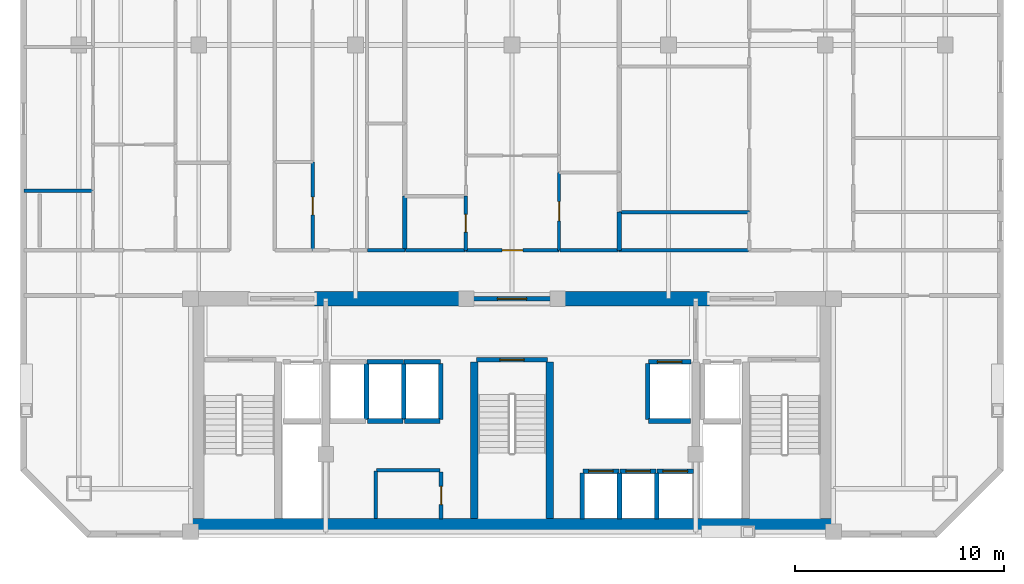
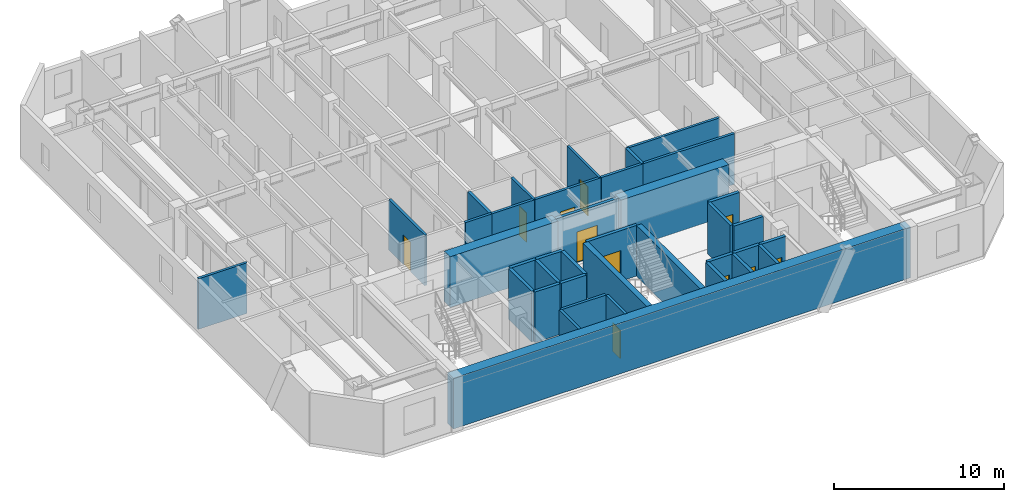
# One storey, part 3 of 8: 38 walls, 11 doors, 11 openings.
"""IFC4 building model written with IfcOpenShell, lengths in metres."""

from ifc_helpers import new_model, si_unit, direction, frame, frame_2d, origin, place, context, subcontext, project, spatial, rectangle, extrude, material, layer, layer_set, type_object, element, fill, save


model = new_model("IFC4")

# Units and contexts
model_context = context("Model", 3, precision=1e-05, world=origin(), true_north=direction((0.0, 1.0)))
body_context = subcontext(model_context, "Body", "Model", "MODEL_VIEW")
ifc_project = project(units=[si_unit("LENGTHUNIT", "METRE"), si_unit("AREAUNIT", "SQUARE_METRE"), si_unit("VOLUMEUNIT", "CUBIC_METRE"), si_unit("PLANEANGLEUNIT", "RADIAN"), si_unit("MASSUNIT", "GRAM", prefix="KILO")], contexts=[model_context])

# Site, building, storey
site_placement = place(None, origin())
site = spatial("IfcSite", under=ifc_project, at=site_placement, CompositionType="ELEMENT")
building_placement = place(site_placement, origin())
building = spatial("IfcBuilding", under=site, at=building_placement, Name="Ventersveld Concourse Tower", CompositionType="ELEMENT")
storey_placement = place(building_placement, frame((0.0, 0.0, 176.0)))
storey = spatial("IfcBuildingStorey", under=building, at=storey_placement, Name="L43", CompositionType="ELEMENT", Elevation=176.0)

# Walls
ifc_material_1 = material(Name="Concrete C60/75", Category="concrete")
ifc_layer_1 = layer(ifc_material_1, 0.35009765625)
ifc_layer_set_1 = layer_set([ifc_layer_1], Name="Concrete C60/75")
wall_type_1 = type_object("IfcWallType", Name="WL-CORE-350L", PredefinedType="SHEAR", material=ifc_layer_set_1)
for number, where, z_axis, x_axis, name in (
    (1, (26.93994140625, 0.919921875, 0.0), (0.0, 0.0, 1.0), (0.0, 1.0, 0.0), "L43 Core Internal Shear Web W-ST3-W"),
    (2, (30.56005859375, 0.919921875, 0.0), (0.0, 0.0, 1.0), (0.0, 1.0, 0.0), "L43 Core Internal Shear Web W-ST3-E"),
):
    element("IfcWall", number, at=place(storey_placement, frame(where, z_axis=z_axis, x_axis=x_axis)), inside=storey, type_object=wall_type_1, Name=name, PredefinedType="SHEAR", context=body_context, shape_type="SweptSolid", body=[
        extrude(rectangle(XDim=7.5, YDim=0.35009765625, at=frame_2d((3.75, 0.0))), origin(), (0.0, 0.0, 1.0), 3.6298828125),
    ])
ifc_layer_2 = layer(ifc_material_1, 0.699951171875)
ifc_layer_set_2 = layer_set([ifc_layer_2], Name="Concrete C60/75")
wall_type_2 = type_object("IfcWallType", Name="WL-CORE-700", PredefinedType="SHEAR", material=ifc_layer_set_2)
wall_1_placement = place(storey_placement, frame((13.25, 0.570068359375, 0.0), z_axis=(0.0, 0.0, 1.0), x_axis=(1.0, 0.0, 0.0)))
element("IfcWall", 3, at=wall_1_placement, inside=storey, type_object=wall_type_2, Name="L43 Rear Core South Shear Wall", PredefinedType="SHEAR", context=body_context, shape_type="SweptSolid", body=[
    extrude(rectangle(XDim=31.0, YDim=0.699951171875, at=frame_2d((15.5, 0.0))), origin(), (0.0, 0.0, 1.0), 3.6298828125),
])
for number, where, z_axis, x_axis, name in (
    (4, (19.300048828125, 11.449951171875, 0.0), (0.0, 0.0, 1.0), (1.0, 0.0, 0.0), "L43 Rear Core North Shear Wall NML"),
    (5, (30.89990234375, 11.449951171875, 0.0), (0.0, 0.0, 1.0), (1.0, 0.0, 0.0), "L43 Rear Core North Shear Wall NMR"),
):
    element("IfcWall", number, at=place(storey_placement, frame(where, z_axis=z_axis, x_axis=x_axis)), inside=storey, type_object=wall_type_2, Name=name, PredefinedType="SHEAR", context=body_context, shape_type="SweptSolid", body=[
        extrude(rectangle(XDim=7.300048828125, YDim=0.699951171875, at=frame_2d((3.64990234375, 0.0))), origin(), (0.0, 0.0, 1.0), 3.6298828125),
    ])

# Wall, opening, door
ifc_material_2 = material(Name="Fire-rated autoclaved aerated masonry blockwork", Category="masonry")
ifc_layer_3 = layer(ifc_material_2, 0.179931640625)
ifc_layer_set_3 = layer_set([ifc_layer_3], Name="Fire-rated autoclaved aerated masonry blockwork")
wall_type_3 = type_object("IfcWallType", Name="WL-CORR-180", PredefinedType="PARTITIONING", material=ifc_layer_set_3)
wall_2_placement = place(storey_placement, frame((25.35009765625, 0.89990234375, 0.0), z_axis=(0.0, 0.0, 1.0), x_axis=(0.0, 1.0, 0.0)))
wall_2 = element("IfcWall", 6, at=wall_2_placement, inside=storey, type_object=wall_type_3, Name="L43 Core Passage Wall SP-L43-RECB1", PredefinedType="PARTITIONING", context=body_context, shape_type="SweptSolid", body=[
    extrude(rectangle(XDim=2.239990234375, YDim=0.179931640625, at=frame_2d((1.1201171875, 0.0))), origin(), (0.0, 0.0, 1.0), 3.6298828125),
])
opening_1_placement = place(wall_2_placement, frame((0.679931640625, 0.0, 0.0)))
opening_1 = element("IfcOpeningElement", 7, at=opening_1_placement, cuts=wall_2, Name="Opening FD5", PredefinedType="OPENING", context=body_context, shape_type="SweptSolid", body=[
    extrude(rectangle(XDim=0.8798828125, YDim=2.050048828125, at=frame_2d((0.43994140625, 1.02490234375))), frame((0.0, 0.10009765625, 0.0), z_axis=(0.0, -1.0, 0.0), x_axis=(1.0, 0.0, 0.0)), (0.0, 0.0, 1.0), 0.199951171875),
])
ifc_material_3 = material(Name="Galvanised painted steel", Category="steel")
door_type_1 = type_object("IfcDoorType", Name="DR-RISER-088", OperationType="NOTDEFINED", PredefinedType="DOOR", material=ifc_material_3)
door_1_placement = place(opening_1_placement, origin())
door_1 = element("IfcDoor", 8, at=door_1_placement, inside=storey, type_object=door_type_1, Name="L43 Core Room Door L43 Reclaimed Core Residents Reading Room (CD-L43-2100)", OperationType="SINGLE_SWING_LEFT", OverallHeight=2.050048828125, OverallWidth=0.8798828125, PredefinedType="DOOR", context=body_context, shape_type="SweptSolid", body=[
    extrude(rectangle(XDim=0.8798828125, YDim=2.050048828125, at=frame_2d((0.43994140625, 1.02490234375))), frame((0.0, 0.02490234375, 0.0), z_axis=(0.0, -1.0, 0.0), x_axis=(1.0, 0.0, 0.0)), (0.0, 0.0, 1.0), 0.050048828125),
])
fill(opening_1, door_1)

# Walls
wall_3_placement = place(storey_placement, frame((22.260009765625, 3.22998046875, 0.0), z_axis=(0.0, 0.0, 1.0), x_axis=(1.0, 0.0, 0.0)))
element("IfcWall", 9, at=wall_3_placement, inside=storey, type_object=wall_type_3, Name="L43 Core Top Wall SP-L43-RECB1", PredefinedType="PARTITIONING", context=body_context, shape_type="SweptSolid", body=[
    extrude(rectangle(XDim=3.0400390625, YDim=0.179931640625, at=frame_2d((1.52001953125, 0.0))), origin(), (0.0, 0.0, 1.0), 3.6298828125),
])
wall_4_placement = place(storey_placement, frame((22.219970703125, 0.909912109375, 0.0), z_axis=(0.0, 0.0, 1.0), x_axis=(0.0, 1.0, 0.0)))
element("IfcWall", 10, at=wall_4_placement, inside=storey, type_object=wall_type_3, Name="L43 Core West Wall SP-L43-RECB1", PredefinedType="PARTITIONING", context=body_context, shape_type="SweptSolid", body=[
    extrude(rectangle(XDim=2.280029296875, YDim=0.179931640625, at=frame_2d((1.14013671875, 0.0))), origin(), (0.0, 0.0, 1.0), 3.6298828125),
])
wall_5_placement = place(storey_placement, frame((21.834228515625, 13.77001953125, 0.0), z_axis=(0.0, 0.0, 1.0), x_axis=(1.0, 0.0, 0.0)))
element("IfcWall", 11, at=wall_5_placement, inside=storey, type_object=wall_type_3, Name="L43 Interior Partition SP-L43-COR-SP-L43-43CW-KIT", PredefinedType="PARTITIONING", context=body_context, shape_type="SweptSolid", body=[
    extrude(rectangle(XDim=1.78076171875, YDim=0.179931640625, at=frame_2d((0.890380859375, 0.0))), origin(), (0.0, 0.0, 1.0), 3.6298828125),
])
wall_6_placement = place(storey_placement, frame((33.885009765625, 13.77001953125, 0.0), z_axis=(0.0, 0.0, 1.0), x_axis=(1.0, 0.0, 0.0)))
element("IfcWall", 12, at=wall_6_placement, inside=storey, type_object=wall_type_3, Name="L43 Interior Partition SP-L43-COR-SP-L43-43CE-BATH", PredefinedType="PARTITIONING", context=body_context, shape_type="SweptSolid", body=[
    extrude(rectangle(XDim=6.197509765625, YDim=0.179931640625, at=frame_2d((3.0986328125, 0.0))), origin(), (0.0, 0.0, 1.0), 3.6298828125),
])

# Wall, opening, door
wall_7_placement = place(storey_placement, frame((26.532958984375, 13.77001953125, 0.0), z_axis=(0.0, 0.0, 1.0), x_axis=(1.0, 0.0, 0.0)))
wall_7 = element("IfcWall", 13, at=wall_7_placement, inside=storey, type_object=wall_type_3, Name="L43 Interior Partition SP-L43-COR-SP-L43-43CM-FOY", PredefinedType="PARTITIONING", context=body_context, shape_type="SweptSolid", body=[
    extrude(rectangle(XDim=4.47607421875, YDim=0.179931640625, at=frame_2d((2.238037109375, 0.0))), origin(), (0.0, 0.0, 1.0), 3.6298828125),
])
opening_2_placement = place(wall_7_placement, frame((1.738037109375, 0.0, 0.0)))
opening_2 = element("IfcOpeningElement", 14, at=opening_2_placement, cuts=wall_7, Name="Opening FD3", PredefinedType="OPENING", context=body_context, shape_type="SweptSolid", body=[
    extrude(rectangle(XDim=1.0, YDim=2.14990234375, at=frame_2d((0.5, 1.074951171875))), frame((0.0, 0.10009765625, 0.0), z_axis=(0.0, -1.0, 0.0), x_axis=(1.0, 0.0, 0.0)), (0.0, 0.0, 1.0), 0.199951171875),
])
ifc_material_4 = material(Name="Solid-core hardwood veneer timber", Category="wood")
door_type_2 = type_object("IfcDoorType", Name="DR-FLAT-100", OperationType="NOTDEFINED", PredefinedType="DOOR", material=ifc_material_4)
door_2_placement = place(opening_2_placement, origin())
door_2 = element("IfcDoor", 15, at=door_2_placement, inside=storey, type_object=door_type_2, Name="L43 Interior Door SP-L43-COR to SP-L43-43CM-FOY (FD-L43-2106)", OperationType="SINGLE_SWING_RIGHT", OverallHeight=2.14990234375, OverallWidth=1.0, PredefinedType="DOOR", context=body_context, shape_type="SweptSolid", body=[
    extrude(rectangle(XDim=1.0, YDim=2.14990234375, at=frame_2d((0.5, 1.074951171875))), frame((0.0, 0.02490234375, 0.0), z_axis=(0.0, -1.0, 0.0), x_axis=(1.0, 0.0, 0.0)), (0.0, 0.0, 1.0), 0.050048828125),
])
fill(opening_2, door_2)

# Walls
wall_8_placement = place(storey_placement, frame((23.64501953125, 13.77001953125, 0.0), z_axis=(0.0, 0.0, 1.0), x_axis=(1.0, 0.0, 0.0)))
element("IfcWall", 16, at=wall_8_placement, inside=storey, type_object=wall_type_3, Name="L43 Interior Partition SP-L43-COR-SP-L43-43CM-BATH", PredefinedType="PARTITIONING", context=body_context, shape_type="SweptSolid", body=[
    extrude(rectangle(XDim=2.85791015625, YDim=0.179931640625, at=frame_2d((1.428955078125, 0.0))), origin(), (0.0, 0.0, 1.0), 3.6298828125),
])
wall_9_placement = place(storey_placement, frame((31.0390625, 13.77001953125, 0.0), z_axis=(0.0, 0.0, 1.0), x_axis=(1.0, 0.0, 0.0)))
element("IfcWall", 17, at=wall_9_placement, inside=storey, type_object=wall_type_3, Name="L43 Interior Partition SP-L43-COR-SP-L43-43CM-KIT", PredefinedType="PARTITIONING", context=body_context, shape_type="SweptSolid", body=[
    extrude(rectangle(XDim=2.81591796875, YDim=0.179931640625, at=frame_2d((1.407958984375, 0.0))), origin(), (0.0, 0.0, 1.0), 3.6298828125),
])
ifc_layer_4 = layer(ifc_material_2, 0.199951171875)
ifc_layer_set_4 = layer_set([ifc_layer_4], Name="Fire-rated autoclaved aerated masonry blockwork")
wall_type_4 = type_object("IfcWallType", Name="WL-DEMISE-200", PredefinedType="PARTITIONING", material=ifc_layer_set_4)
wall_10_placement = place(storey_placement, frame((23.610107421875, 13.764892578125, 0.0), z_axis=(0.0, 0.0, 1.0), x_axis=(0.0, 1.0, 0.0)))
element("IfcWall", 18, at=wall_10_placement, inside=storey, type_object=wall_type_4, Name="L43 Interior Partition SP-L43-43CW-KIT-SP-L43-43CM-BATH", PredefinedType="PARTITIONING", context=body_context, shape_type="SweptSolid", body=[
    extrude(rectangle(XDim=2.591796875, YDim=0.199951171875, at=frame_2d((1.2958984375, 0.0))), origin(), (0.0, 0.0, 1.0), 3.6298828125),
])
wall_11_placement = place(storey_placement, frame((33.889892578125, 13.764892578125, 0.0), z_axis=(0.0, 0.0, 1.0), x_axis=(0.0, 1.0, 0.0)))
element("IfcWall", 19, at=wall_11_placement, inside=storey, type_object=wall_type_4, Name="L43 Interior Partition SP-L43-43CE-BATH-SP-L43-43CM-KIT", PredefinedType="PARTITIONING", context=body_context, shape_type="SweptSolid", body=[
    extrude(rectangle(XDim=1.840087890625, YDim=0.199951171875, at=frame_2d((0.919921875, 0.0))), origin(), (0.0, 0.0, 1.0), 3.6298828125),
])
ifc_layer_5 = layer(ifc_material_2, 0.219970703125)
ifc_layer_set_5 = layer_set([ifc_layer_5], Name="Fire-rated autoclaved aerated masonry blockwork")
wall_type_5 = type_object("IfcWallType", Name="WL-HOIST-220", PredefinedType="SOLIDWALL", material=ifc_layer_set_5)
wall_12_placement = place(storey_placement, frame((35.300048828125, 5.590087890625, 0.0), z_axis=(0.0, 0.0, 1.0), x_axis=(1.0, 0.0, 0.0)))
element("IfcWall", 20, at=wall_12_placement, inside=storey, type_object=wall_type_5, Name="L43 Lift Hoistway Back Wall SVL-01", PredefinedType="SOLIDWALL", context=body_context, shape_type="SweptSolid", body=[
    extrude(rectangle(XDim=2.0, YDim=0.219970703125, at=frame_2d((1.0, 0.0))), origin(), (0.0, 0.0, 1.0), 3.6298828125),
])
wall_13_placement = place(storey_placement, frame((35.260009765625, 5.64990234375, 0.0), z_axis=(0.0, 0.0, 1.0), x_axis=(0.0, 1.0, 0.0)))
element("IfcWall", 21, at=wall_13_placement, inside=storey, type_object=wall_type_5, Name="L43 Lift Hoistway Side Wall SVL-01W", PredefinedType="SOLIDWALL", context=body_context, shape_type="SweptSolid", body=[
    extrude(rectangle(XDim=2.7001953125, YDim=0.219970703125, at=frame_2d((1.35009765625, 0.0))), origin(), (0.0, 0.0, 1.0), 3.6298828125),
])

# Wall, opening, door
wall_14_placement = place(storey_placement, frame((35.280029296875, 8.429931640625, 0.0), z_axis=(0.0, 0.0, 1.0), x_axis=(1.0, 0.0, 0.0)))
wall_14 = element("IfcWall", 22, at=wall_14_placement, inside=storey, type_object=wall_type_5, Name="L43 Lift Hoistway Front Wall SVL-01", PredefinedType="SOLIDWALL", context=body_context, shape_type="SweptSolid", body=[
    extrude(rectangle(XDim=2.0400390625, YDim=0.219970703125, at=frame_2d((1.02001953125, 0.0))), origin(), (0.0, 0.0, 1.0), 3.6298828125),
])
opening_3_placement = place(wall_14_placement, frame((0.429931640625, 0.0, 0.0)))
opening_3 = element("IfcOpeningElement", 23, at=opening_3_placement, cuts=wall_14, Name="Opening LD2", PredefinedType="OPENING", context=body_context, shape_type="SweptSolid", body=[
    extrude(rectangle(XDim=1.179931640625, YDim=2.199951171875, at=frame_2d((0.58984375, 1.10009765625))), frame((0.0, 0.1201171875, 0.0), z_axis=(0.0, -1.0, 0.0), x_axis=(1.0, 0.0, 0.0)), (0.0, 0.0, 1.0), 0.239990234375),
])
ifc_material_5 = material(Name="Brushed stainless steel 316", Category="steel")
door_type_3 = type_object("IfcDoorType", Name="LD-PAX-118", OperationType="SLIDING_TO_LEFT", PredefinedType="DOOR", material=ifc_material_5)
door_3_placement = place(opening_3_placement, origin())
door_3 = element("IfcDoor", 24, at=door_3_placement, inside=storey, type_object=door_type_3, Name="L43 Lift landing door SVL-01 (LD-L43-SVL-01)", OperationType="SLIDING_TO_LEFT", OverallHeight=2.199951171875, OverallWidth=1.179931640625, PredefinedType="DOOR", context=body_context, shape_type="SweptSolid", body=[
    extrude(rectangle(XDim=1.179931640625, YDim=2.199951171875, at=frame_2d((0.58984375, 1.10009765625))), frame((0.0, 0.02490234375, 0.0), z_axis=(0.0, -1.0, 0.0), x_axis=(1.0, 0.0, 0.0)), (0.0, 0.0, 1.0), 0.050048828125),
])
fill(opening_3, door_3)

# Walls
for number, where, z_axis, x_axis, name in (
    (25, (32.1201171875, 0.89990234375, 0.0), (0.0, 0.0, 1.0), (0.0, 1.0, 0.0), "L43 Lift Hoistway Side Wall PM-01W"),
    (26, (33.89990234375, 0.89990234375, 0.0), (0.0, 0.0, 1.0), (0.0, 1.0, 0.0), "L43 Lift Hoistway Side Wall PM-01E"),
):
    element("IfcWall", number, at=place(storey_placement, frame(where, z_axis=z_axis, x_axis=x_axis)), inside=storey, type_object=wall_type_5, Name=name, PredefinedType="SOLIDWALL", context=body_context, shape_type="SweptSolid", body=[
        extrude(rectangle(XDim=2.2001953125, YDim=0.219970703125, at=frame_2d((1.10009765625, 0.0))), origin(), (0.0, 0.0, 1.0), 3.6298828125),
    ])

# Wall, opening, door
wall_15_placement = place(storey_placement, frame((32.139892578125, 3.179931640625, 0.0), z_axis=(0.0, 0.0, 1.0), x_axis=(1.0, 0.0, 0.0)))
wall_15 = element("IfcWall", 27, at=wall_15_placement, inside=storey, type_object=wall_type_5, Name="L43 Lift Hoistway Front Wall PM-01", PredefinedType="SOLIDWALL", context=body_context, shape_type="SweptSolid", body=[
    extrude(rectangle(XDim=1.739990234375, YDim=0.219970703125, at=frame_2d((0.8701171875, 0.0))), origin(), (0.0, 0.0, 1.0), 3.6298828125),
])
opening_4_placement = place(wall_15_placement, frame((0.280029296875, 0.0, 0.0)))
opening_4 = element("IfcOpeningElement", 28, at=opening_4_placement, cuts=wall_15, Name="Opening LD2", PredefinedType="OPENING", context=body_context, shape_type="SweptSolid", body=[
    extrude(rectangle(XDim=1.179931640625, YDim=2.199951171875, at=frame_2d((0.58984375, 1.10009765625))), frame((0.0, 0.1201171875, 0.0), z_axis=(0.0, -1.0, 0.0), x_axis=(1.0, 0.0, 0.0)), (0.0, 0.0, 1.0), 0.239990234375),
])
door_4_placement = place(opening_4_placement, origin())
door_4 = element("IfcDoor", 29, at=door_4_placement, inside=storey, type_object=door_type_3, Name="L43 Lift landing door PM-01 (LD-L43-PM-01)", OperationType="SLIDING_TO_RIGHT", OverallHeight=2.199951171875, OverallWidth=1.179931640625, PredefinedType="DOOR", context=body_context, shape_type="SweptSolid", body=[
    extrude(rectangle(XDim=1.179931640625, YDim=2.199951171875, at=frame_2d((0.58984375, 1.10009765625))), frame((0.0, 0.02490234375, 0.0), z_axis=(0.0, -1.0, 0.0), x_axis=(1.0, 0.0, 0.0)), (0.0, 0.0, 1.0), 0.050048828125),
])
fill(opening_4, door_4)

# Wall
wall_16_placement = place(storey_placement, frame((35.679931640625, 0.89990234375, 0.0), z_axis=(0.0, 0.0, 1.0), x_axis=(0.0, 1.0, 0.0)))
element("IfcWall", 30, at=wall_16_placement, inside=storey, type_object=wall_type_5, Name="L43 Lift Hoistway Side Wall PM-02E", PredefinedType="SOLIDWALL", context=body_context, shape_type="SweptSolid", body=[
    extrude(rectangle(XDim=2.2001953125, YDim=0.219970703125, at=frame_2d((1.10009765625, 0.0))), origin(), (0.0, 0.0, 1.0), 3.6298828125),
])

# Wall, opening, door
wall_17_placement = place(storey_placement, frame((33.919921875, 3.179931640625, 0.0), z_axis=(0.0, 0.0, 1.0), x_axis=(1.0, 0.0, 0.0)))
wall_17 = element("IfcWall", 31, at=wall_17_placement, inside=storey, type_object=wall_type_5, Name="L43 Lift Hoistway Front Wall PM-02", PredefinedType="SOLIDWALL", context=body_context, shape_type="SweptSolid", body=[
    extrude(rectangle(XDim=1.739990234375, YDim=0.219970703125, at=frame_2d((0.8701171875, 0.0))), origin(), (0.0, 0.0, 1.0), 3.6298828125),
])
opening_5_placement = place(wall_17_placement, frame((0.280029296875, 0.0, 0.0)))
opening_5 = element("IfcOpeningElement", 32, at=opening_5_placement, cuts=wall_17, Name="Opening LD2", PredefinedType="OPENING", context=body_context, shape_type="SweptSolid", body=[
    extrude(rectangle(XDim=1.179931640625, YDim=2.199951171875, at=frame_2d((0.58984375, 1.10009765625))), frame((0.0, 0.1201171875, 0.0), z_axis=(0.0, -1.0, 0.0), x_axis=(1.0, 0.0, 0.0)), (0.0, 0.0, 1.0), 0.239990234375),
])
door_5_placement = place(opening_5_placement, origin())
door_5 = element("IfcDoor", 33, at=door_5_placement, inside=storey, type_object=door_type_3, Name="L43 Lift landing door PM-02 (LD-L43-PM-02)", OperationType="SLIDING_TO_LEFT", OverallHeight=2.199951171875, OverallWidth=1.179931640625, PredefinedType="DOOR", context=body_context, shape_type="SweptSolid", body=[
    extrude(rectangle(XDim=1.179931640625, YDim=2.199951171875, at=frame_2d((0.58984375, 1.10009765625))), frame((0.0, 0.02490234375, 0.0), z_axis=(0.0, -1.0, 0.0), x_axis=(1.0, 0.0, 0.0)), (0.0, 0.0, 1.0), 0.050048828125),
])
fill(opening_5, door_5)

wall_18_placement = place(storey_placement, frame((35.699951171875, 3.179931640625, 0.0), z_axis=(0.0, 0.0, 1.0), x_axis=(1.0, 0.0, 0.0)))
wall_18 = element("IfcWall", 34, at=wall_18_placement, inside=storey, type_object=wall_type_5, Name="L43 Lift Hoistway Front Wall PM-03", PredefinedType="SOLIDWALL", context=body_context, shape_type="SweptSolid", body=[
    extrude(rectangle(XDim=1.739990234375, YDim=0.219970703125, at=frame_2d((0.8701171875, 0.0))), origin(), (0.0, 0.0, 1.0), 3.6298828125),
])
opening_6_placement = place(wall_18_placement, frame((0.280029296875, 0.0, 0.0)))
opening_6 = element("IfcOpeningElement", 35, at=opening_6_placement, cuts=wall_18, Name="Opening LD2", PredefinedType="OPENING", context=body_context, shape_type="SweptSolid", body=[
    extrude(rectangle(XDim=1.179931640625, YDim=2.199951171875, at=frame_2d((0.58984375, 1.10009765625))), frame((0.0, 0.1201171875, 0.0), z_axis=(0.0, -1.0, 0.0), x_axis=(1.0, 0.0, 0.0)), (0.0, 0.0, 1.0), 0.239990234375),
])
door_6_placement = place(opening_6_placement, origin())
door_6 = element("IfcDoor", 36, at=door_6_placement, inside=storey, type_object=door_type_3, Name="L43 Lift landing door PM-03 (LD-L43-PM-03)", OperationType="SLIDING_TO_RIGHT", OverallHeight=2.199951171875, OverallWidth=1.179931640625, PredefinedType="DOOR", context=body_context, shape_type="SweptSolid", body=[
    extrude(rectangle(XDim=1.179931640625, YDim=2.199951171875, at=frame_2d((0.58984375, 1.10009765625))), frame((0.0, 0.02490234375, 0.0), z_axis=(0.0, -1.0, 0.0), x_axis=(1.0, 0.0, 0.0)), (0.0, 0.0, 1.0), 0.050048828125),
])
fill(opening_6, door_6)

# Walls
wall_19_placement = place(storey_placement, frame((21.780029296875, 5.64990234375, 0.0), z_axis=(0.0, 0.0, 1.0), x_axis=(0.0, 1.0, 0.0)))
element("IfcWall", 37, at=wall_19_placement, inside=storey, type_object=wall_type_5, Name="L43 Lift Hoistway Side Wall PH-01E", PredefinedType="SOLIDWALL", context=body_context, shape_type="SweptSolid", body=[
    extrude(rectangle(XDim=2.7001953125, YDim=0.219970703125, at=frame_2d((1.35009765625, 0.0))), origin(), (0.0, 0.0, 1.0), 3.6298828125),
])
wall_20_placement = place(storey_placement, frame((21.820068359375, 5.590087890625, 0.0), z_axis=(0.0, 0.0, 1.0), x_axis=(1.0, 0.0, 0.0)))
element("IfcWall", 38, at=wall_20_placement, inside=storey, type_object=wall_type_5, Name="L43 Lift Hoistway Back Wall PH-02", PredefinedType="SOLIDWALL", context=body_context, shape_type="SweptSolid", body=[
    extrude(rectangle(XDim=1.699951171875, YDim=0.219970703125, at=frame_2d((0.85009765625, 0.0))), origin(), (0.0, 0.0, 1.0), 3.6298828125),
])
wall_21_placement = place(storey_placement, frame((23.56005859375, 5.64990234375, 0.0), z_axis=(0.0, 0.0, 1.0), x_axis=(0.0, 1.0, 0.0)))
element("IfcWall", 39, at=wall_21_placement, inside=storey, type_object=wall_type_5, Name="L43 Lift Hoistway Side Wall PH-02E", PredefinedType="SOLIDWALL", context=body_context, shape_type="SweptSolid", body=[
    extrude(rectangle(XDim=2.7001953125, YDim=0.219970703125, at=frame_2d((1.35009765625, 0.0))), origin(), (0.0, 0.0, 1.0), 3.6298828125),
])
wall_22_placement = place(storey_placement, frame((21.800048828125, 8.429931640625, 0.0), z_axis=(0.0, 0.0, 1.0), x_axis=(1.0, 0.0, 0.0)))
element("IfcWall", 40, at=wall_22_placement, inside=storey, type_object=wall_type_5, Name="L43 Lift Hoistway Front Wall PH-02", PredefinedType="SOLIDWALL", context=body_context, shape_type="SweptSolid", body=[
    extrude(rectangle(XDim=1.739990234375, YDim=0.219970703125, at=frame_2d((0.8701171875, 0.0))), origin(), (0.0, 0.0, 1.0), 3.6298828125),
])
wall_23_placement = place(storey_placement, frame((23.60009765625, 5.590087890625, 0.0), z_axis=(0.0, 0.0, 1.0), x_axis=(1.0, 0.0, 0.0)))
element("IfcWall", 41, at=wall_23_placement, inside=storey, type_object=wall_type_5, Name="L43 Lift Hoistway Back Wall PH-03", PredefinedType="SOLIDWALL", context=body_context, shape_type="SweptSolid", body=[
    extrude(rectangle(XDim=1.699951171875, YDim=0.219970703125, at=frame_2d((0.85009765625, 0.0))), origin(), (0.0, 0.0, 1.0), 3.6298828125),
])
wall_24_placement = place(storey_placement, frame((25.340087890625, 5.64990234375, 0.0), z_axis=(0.0, 0.0, 1.0), x_axis=(0.0, 1.0, 0.0)))
element("IfcWall", 42, at=wall_24_placement, inside=storey, type_object=wall_type_5, Name="L43 Lift Hoistway Side Wall PH-03E", PredefinedType="SOLIDWALL", context=body_context, shape_type="SweptSolid", body=[
    extrude(rectangle(XDim=2.7001953125, YDim=0.219970703125, at=frame_2d((1.35009765625, 0.0))), origin(), (0.0, 0.0, 1.0), 3.6298828125),
])
wall_25_placement = place(storey_placement, frame((23.580078125, 8.429931640625, 0.0), z_axis=(0.0, 0.0, 1.0), x_axis=(1.0, 0.0, 0.0)))
element("IfcWall", 43, at=wall_25_placement, inside=storey, type_object=wall_type_5, Name="L43 Lift Hoistway Front Wall PH-03", PredefinedType="SOLIDWALL", context=body_context, shape_type="SweptSolid", body=[
    extrude(rectangle(XDim=1.739990234375, YDim=0.219970703125, at=frame_2d((0.8701171875, 0.0))), origin(), (0.0, 0.0, 1.0), 3.6298828125),
])

# Wall, opening, door
wall_26_placement = place(storey_placement, frame((27.0400390625, 8.52001953125, 0.0), z_axis=(0.0, 0.0, 1.0), x_axis=(1.0, 0.0, 0.0)))
wall_26 = element("IfcWall", 44, at=wall_26_placement, inside=storey, type_object=wall_type_5, Name="L43 Escape Stair ST03 Fire Wall", PredefinedType="SOLIDWALL", context=body_context, shape_type="SweptSolid", body=[
    extrude(rectangle(XDim=3.419921875, YDim=0.219970703125, at=frame_2d((1.7099609375, 0.0))), origin(), (0.0, 0.0, 1.0), 3.6298828125),
])
opening_7_placement = place(wall_26_placement, frame((1.135009765625, 0.0, 0.0)))
opening_7 = element("IfcOpeningElement", 45, at=opening_7_placement, cuts=wall_26, Name="Opening FD1", PredefinedType="OPENING", context=body_context, shape_type="SweptSolid", body=[
    extrude(rectangle(XDim=1.14990234375, YDim=2.199951171875, at=frame_2d((0.574951171875, 1.10009765625))), frame((0.0, 0.1201171875, 0.0), z_axis=(0.0, -1.0, 0.0), x_axis=(1.0, 0.0, 0.0)), (0.0, 0.0, 1.0), 0.239990234375),
])
door_type_4 = type_object("IfcDoorType", Name="DR-STAIR-115", OperationType="NOTDEFINED", PredefinedType="DOOR", material=ifc_material_3)
door_7_placement = place(opening_7_placement, origin())
door_7 = element("IfcDoor", 46, at=door_7_placement, inside=storey, type_object=door_type_4, Name="L43 Escape Stair Door ST03 (SD-L43-2094)", OperationType="SINGLE_SWING_LEFT", OverallHeight=2.199951171875, OverallWidth=1.14990234375, PredefinedType="DOOR", context=body_context, shape_type="SweptSolid", body=[
    extrude(rectangle(XDim=1.14990234375, YDim=2.199951171875, at=frame_2d((0.574951171875, 1.10009765625))), frame((0.0, 0.02490234375, 0.0), z_axis=(0.0, -1.0, 0.0), x_axis=(1.0, 0.0, 0.0)), (0.0, 0.0, 1.0), 0.050048828125),
])
fill(opening_7, door_7)

wall_27_placement = place(storey_placement, frame((26.6298828125, 11.449951171875, 0.0), z_axis=(0.0, 0.0, 1.0), x_axis=(1.0, 0.0, 0.0)))
wall_27 = element("IfcWall", 47, at=wall_27_placement, inside=storey, type_object=wall_type_5, Name="L43 Core North Fire Portal PLOB-OUT", PredefinedType="SOLIDWALL", context=body_context, shape_type="SweptSolid", body=[
    extrude(rectangle(XDim=4.240234375, YDim=0.219970703125, at=frame_2d((2.1201171875, 0.0))), origin(), (0.0, 0.0, 1.0), 3.6298828125),
])
opening_8_placement = place(wall_27_placement, frame((1.419921875, 0.0, 0.0)))
opening_8 = element("IfcOpeningElement", 48, at=opening_8_placement, cuts=wall_27, Name="Opening FD4", PredefinedType="OPENING", context=body_context, shape_type="SweptSolid", body=[
    extrude(rectangle(XDim=1.39990234375, YDim=2.199951171875, at=frame_2d((0.699951171875, 1.10009765625))), frame((0.0, 0.1201171875, 0.0), z_axis=(0.0, -1.0, 0.0), x_axis=(1.0, 0.0, 0.0)), (0.0, 0.0, 1.0), 0.239990234375),
])
door_type_5 = type_object("IfcDoorType", Name="DR-PLANT-140", OperationType="DOUBLE_DOOR_SINGLE_SWING", PredefinedType="DOOR", material=ifc_material_3)
door_8_placement = place(opening_8_placement, origin())
door_8 = element("IfcDoor", 49, at=door_8_placement, inside=storey, type_object=door_type_5, Name="L43 Core Lobby Fire Door PLOB-OUT (FD-L43-2098)", OperationType="DOUBLE_DOOR_SINGLE_SWING", OverallHeight=2.199951171875, OverallWidth=1.39990234375, PredefinedType="DOOR", context=body_context, shape_type="SweptSolid", body=[
    extrude(rectangle(XDim=1.39990234375, YDim=2.199951171875, at=frame_2d((0.699951171875, 1.10009765625))), frame((0.0, 0.02490234375, 0.0), z_axis=(0.0, -1.0, 0.0), x_axis=(1.0, 0.0, 0.0)), (0.0, 0.0, 1.0), 0.050048828125),
])
fill(opening_8, door_8)

ifc_material_6 = material(Name="Autoclaved aerated masonry blockwork", Category="masonry")
ifc_layer_6 = layer(ifc_material_6, 0.14990234375)
ifc_layer_set_6 = layer_set([ifc_layer_6], Name="Autoclaved aerated masonry blockwork")
wall_type_6 = type_object("IfcWallType", Name="WL-INT-150", PredefinedType="PARTITIONING", material=ifc_layer_set_6)
wall_28_placement = place(storey_placement, frame((31.00390625, 13.764892578125, 0.0), z_axis=(0.0, 0.0, 1.0), x_axis=(0.0, 1.0, 0.0)))
wall_28 = element("IfcWall", 50, at=wall_28_placement, inside=storey, type_object=wall_type_6, Name="L43 Interior Partition SP-L43-43CM-FOY-SP-L43-43CM-KIT", PredefinedType="PARTITIONING", context=body_context, shape_type="SweptSolid", body=[
    extrude(rectangle(XDim=3.73779296875, YDim=0.14990234375, at=frame_2d((1.868896484375, 0.0))), origin(), (0.0, 0.0, 1.0), 3.6298828125),
])
opening_9_placement = place(wall_28_placement, frame((1.408935546875, 0.0, 0.0)))
opening_9 = element("IfcOpeningElement", 51, at=opening_9_placement, cuts=wall_28, Name="Opening ID1", PredefinedType="OPENING", context=body_context, shape_type="SweptSolid", body=[
    extrude(rectangle(XDim=0.919921875, YDim=2.10009765625, at=frame_2d((0.4599609375, 1.050048828125))), frame((0.0, 0.0849609375, 0.0), z_axis=(0.0, -1.0, 0.0), x_axis=(1.0, 0.0, 0.0)), (0.0, 0.0, 1.0), 0.169921875),
])
door_type_6 = type_object("IfcDoorType", Name="DR-ROOM-092", OperationType="NOTDEFINED", PredefinedType="DOOR", material=ifc_material_4)
door_9_placement = place(opening_9_placement, origin())
door_9 = element("IfcDoor", 52, at=door_9_placement, inside=storey, type_object=door_type_6, Name="L43 Interior Door SP-L43-43CM-FOY to SP-L43-43CM-KIT (D-L43-2136)", OperationType="SINGLE_SWING_RIGHT", OverallHeight=2.10009765625, OverallWidth=0.919921875, PredefinedType="DOOR", context=body_context, shape_type="SweptSolid", body=[
    extrude(rectangle(XDim=0.919921875, YDim=2.10009765625, at=frame_2d((0.4599609375, 1.050048828125))), frame((0.0, 0.02490234375, 0.0), z_axis=(0.0, -1.0, 0.0), x_axis=(1.0, 0.0, 0.0)), (0.0, 0.0, 1.0), 0.050048828125),
])
fill(opening_9, door_9)

# Wall
ifc_layer_7 = layer(ifc_material_6, 0.1650390625)
ifc_layer_set_7 = layer_set([ifc_layer_7], Name="Autoclaved aerated masonry blockwork")
wall_type_7 = type_object("IfcWallType", Name="WL-WET-165", PredefinedType="PLUMBINGWALL", material=ifc_layer_set_7)
wall_29_placement = place(storey_placement, frame((5.37255859375, 16.625, 0.0), z_axis=(0.0, 0.0, 1.0), x_axis=(1.0, 0.0, 0.0)))
element("IfcWall", 53, at=wall_29_placement, inside=storey, type_object=wall_type_7, Name="L43 Interior Partition SP-L43-43NW-BATH-SP-L43-43NW-MEDL0", PredefinedType="PLUMBINGWALL", context=body_context, shape_type="SweptSolid", body=[
    extrude(rectangle(XDim=3.309814453125, YDim=0.1650390625, at=frame_2d((1.65478515625, 0.0))), origin(), (0.0, 0.0, 1.0), 3.6298828125),
])

# Wall, opening, door
wall_30_placement = place(storey_placement, frame((19.20068359375, 13.764892578125, 0.0), z_axis=(0.0, 0.0, 1.0), x_axis=(0.0, 1.0, 0.0)))
wall_30 = element("IfcWall", 54, at=wall_30_placement, inside=storey, type_object=wall_type_7, Name="L43 Interior Partition SP-L43-43CW-LIV-SP-L43-43CW-BATH", PredefinedType="PLUMBINGWALL", context=body_context, shape_type="SweptSolid", body=[
    extrude(rectangle(XDim=4.2373046875, YDim=0.1650390625, at=frame_2d((2.11865234375, 0.0))), origin(), (0.0, 0.0, 1.0), 3.6298828125),
])
opening_10_placement = place(wall_30_placement, frame((1.693603515625, 0.0, 0.0)))
opening_10 = element("IfcOpeningElement", 55, at=opening_10_placement, cuts=wall_30, Name="Opening ID2", PredefinedType="OPENING", context=body_context, shape_type="SweptSolid", body=[
    extrude(rectangle(XDim=0.85009765625, YDim=2.10009765625, at=frame_2d((0.425048828125, 1.050048828125))), frame((0.0, 0.092529296875, 0.0), z_axis=(0.0, -1.0, 0.0), x_axis=(1.0, 0.0, 0.0)), (0.0, 0.0, 1.0), 0.18505859375),
])
door_type_7 = type_object("IfcDoorType", Name="DR-BATH-085", OperationType="NOTDEFINED", PredefinedType="DOOR", material=ifc_material_4)
door_10_placement = place(opening_10_placement, origin())
door_10 = element("IfcDoor", 56, at=door_10_placement, inside=storey, type_object=door_type_7, Name="L43 Interior Door SP-L43-43CW-LIV to SP-L43-43CW-BATH (D-L43-2116)", OperationType="SINGLE_SWING_RIGHT", OverallHeight=2.10009765625, OverallWidth=0.85009765625, PredefinedType="DOOR", context=body_context, shape_type="SweptSolid", body=[
    extrude(rectangle(XDim=0.85009765625, YDim=2.10009765625, at=frame_2d((0.425048828125, 1.050048828125))), frame((0.0, 0.02490234375, 0.0), z_axis=(0.0, -1.0, 0.0), x_axis=(1.0, 0.0, 0.0)), (0.0, 0.0, 1.0), 0.050048828125),
])
fill(opening_10, door_10)

# Wall
wall_31_placement = place(storey_placement, frame((33.885009765625, 15.60009765625, 0.0), z_axis=(0.0, 0.0, 1.0), x_axis=(1.0, 0.0, 0.0)))
element("IfcWall", 57, at=wall_31_placement, inside=storey, type_object=wall_type_7, Name="L43 Interior Partition SP-L43-43CE-BATH-SP-L43-43CE-MEDL0", PredefinedType="PLUMBINGWALL", context=body_context, shape_type="SweptSolid", body=[
    extrude(rectangle(XDim=6.237548828125, YDim=0.1650390625, at=frame_2d((3.11865234375, 0.0))), origin(), (0.0, 0.0, 1.0), 3.6298828125),
])

# Wall, opening, door
wall_32_placement = place(storey_placement, frame((26.5380859375, 13.764892578125, 0.0), z_axis=(0.0, 0.0, 1.0), x_axis=(0.0, 1.0, 0.0)))
wall_32 = element("IfcWall", 58, at=wall_32_placement, inside=storey, type_object=wall_type_7, Name="L43 Interior Partition SP-L43-43CM-FOY-SP-L43-43CM-BATH", PredefinedType="PLUMBINGWALL", context=body_context, shape_type="SweptSolid", body=[
    extrude(rectangle(XDim=2.591796875, YDim=0.1650390625, at=frame_2d((1.2958984375, 0.0))), origin(), (0.0, 0.0, 1.0), 3.6298828125),
])
opening_11_placement = place(wall_32_placement, frame((0.870849609375, 0.0, 0.0)))
opening_11 = element("IfcOpeningElement", 59, at=opening_11_placement, cuts=wall_32, Name="Opening ID2", PredefinedType="OPENING", context=body_context, shape_type="SweptSolid", body=[
    extrude(rectangle(XDim=0.85009765625, YDim=2.10009765625, at=frame_2d((0.425048828125, 1.050048828125))), frame((0.0, 0.092529296875, 0.0), z_axis=(0.0, -1.0, 0.0), x_axis=(1.0, 0.0, 0.0)), (0.0, 0.0, 1.0), 0.18505859375),
])
door_11_placement = place(opening_11_placement, origin())
door_11 = element("IfcDoor", 60, at=door_11_placement, inside=storey, type_object=door_type_7, Name="L43 Interior Door SP-L43-43CM-FOY to SP-L43-43CM-BATH (D-L43-2134)", OperationType="SINGLE_SWING_RIGHT", OverallHeight=2.10009765625, OverallWidth=0.85009765625, PredefinedType="DOOR", context=body_context, shape_type="SweptSolid", body=[
    extrude(rectangle(XDim=0.85009765625, YDim=2.10009765625, at=frame_2d((0.425048828125, 1.050048828125))), frame((0.0, 0.02490234375, 0.0), z_axis=(0.0, -1.0, 0.0), x_axis=(1.0, 0.0, 0.0)), (0.0, 0.0, 1.0), 0.050048828125),
])
fill(opening_11, door_11)

save(model, "model.ifc")
